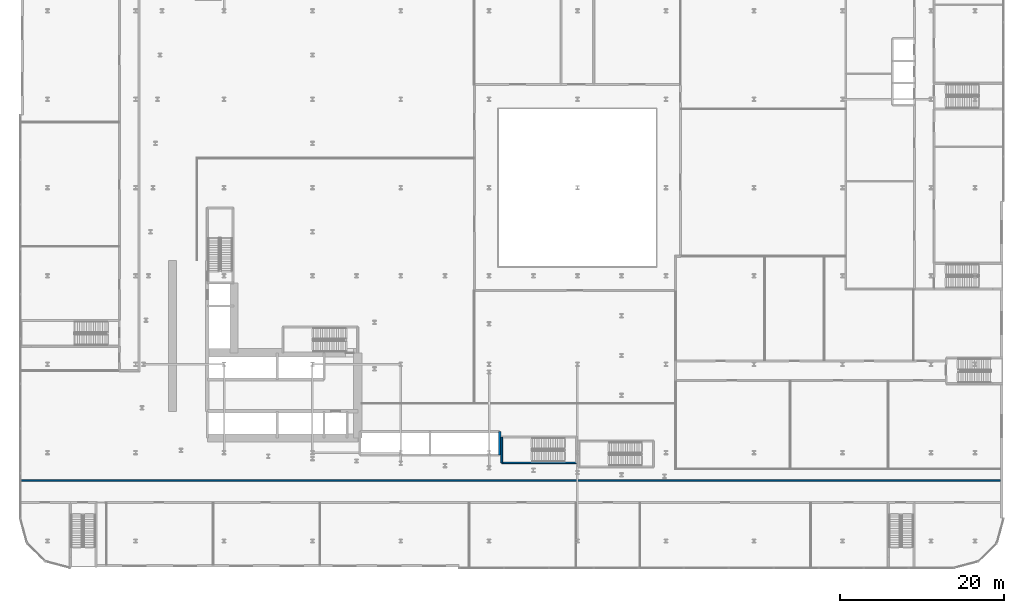
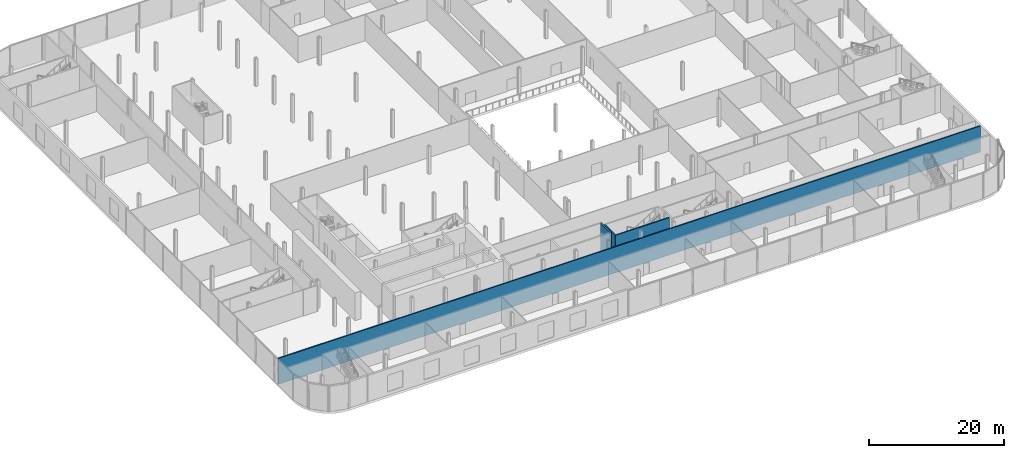
# One storey, part 27 of 47: 4 walls.
"""IFC4 building model written with IfcOpenShell, lengths in metres."""

from ifc_helpers import new_model, si_unit, direction, frame, frame_2d, origin, place, context, subcontext, project, spatial, rectangle, extrude, material, layer, layer_set, type_object, element, save


model = new_model("IFC4")

# Units and contexts
model_context = context("Model", 3, precision=1e-05, world=origin(), true_north=direction((0.0, 1.0)))
body_context = subcontext(model_context, "Body", "Model", "MODEL_VIEW")
ifc_project = project(units=[si_unit("LENGTHUNIT", "METRE"), si_unit("AREAUNIT", "SQUARE_METRE"), si_unit("VOLUMEUNIT", "CUBIC_METRE"), si_unit("PLANEANGLEUNIT", "RADIAN"), si_unit("MASSUNIT", "GRAM", prefix="KILO")], contexts=[model_context])

# Site, building, storey
site_placement = place(None, origin())
site = spatial("IfcSite", under=ifc_project, at=site_placement, CompositionType="ELEMENT")
building_placement = place(site_placement, origin())
building = spatial("IfcBuilding", under=site, at=building_placement, Name="Kheshtan School and Residences Tower", CompositionType="ELEMENT")
storey_placement = place(building_placement, frame((0.0, 0.0, 7.5)))
storey = spatial("IfcBuildingStorey", under=building, at=storey_placement, Name="L01", CompositionType="ELEMENT", Elevation=7.5)

# Walls
ifc_material_1 = material(Name="Gypsum board on steel studs with fire boards", Category="steel")
ifc_layer_1 = layer(ifc_material_1, 0.199951171875)
ifc_layer_set_1 = layer_set([ifc_layer_1], Name="Corridor wall 200")
wall_type_1 = type_object("IfcWallType", Name="Corridor wall 200", PredefinedType="PARTITIONING", material=ifc_layer_set_1)
wall_1_placement = place(storey_placement, frame((12.0, 20.60009765625, 0.0), z_axis=(0.0, 0.0, 1.0), x_axis=(1.0, 0.0, 0.0)))
element("IfcWall", 1, at=wall_1_placement, inside=storey, type_object=wall_type_1, Name="Partition L01-002", PredefinedType="PARTITIONING", context=body_context, shape_type="SweptSolid", body=[
    extrude(rectangle(XDim=119.700927734375, YDim=0.199951171875, at=frame_2d((59.8505859375, 0.0))), origin(), (0.0, 0.0, 1.0), 4.679931640625),
])
ifc_material_2 = material(Name="Fire-board shaft wall system")
ifc_layer_2 = layer(ifc_material_2, 0.25)
ifc_layer_set_2 = layer_set([ifc_layer_2], Name="Shaft lining wall 250")
wall_type_2 = type_object("IfcWallType", Name="Shaft lining wall 250", PredefinedType="PARTITIONING", material=ifc_layer_set_2)
wall_2_placement = place(storey_placement, frame((70.5, 23.699951171875, 0.0), z_axis=(0.0, 0.0, 1.0), x_axis=(0.0, 1.0, 0.0)))
element("IfcWall", 2, at=wall_2_placement, inside=storey, type_object=wall_type_2, Name="Shaft lining wall", PredefinedType="PARTITIONING", context=body_context, shape_type="SweptSolid", body=[
    extrude(rectangle(XDim=2.85009765625, YDim=0.25, at=frame_2d((1.425048828125, 0.0))), origin(), (0.0, 0.0, 1.0), 5.0),
])
ifc_material_3 = material(Name="Concrete C40/50", Category="concrete")
ifc_layer_3 = layer(ifc_material_3, 0.199951171875)
ifc_layer_set_3 = layer_set([ifc_layer_3], Name="Stair enclosure wall 200 Concrete C40/50")
wall_type_3 = type_object("IfcWallType", Name="Stair enclosure wall 200 Concrete C40/50", PredefinedType="SHEAR", material=ifc_layer_set_3)
wall_3_placement = place(storey_placement, frame((70.75, 22.75, 0.0), z_axis=(0.0, 0.0, 1.0), x_axis=(1.0, 0.0, 0.0)))
element("IfcWall", 3, at=wall_3_placement, inside=storey, type_object=wall_type_3, Name="Stair enclosure wall ST5", PredefinedType="SHEAR", context=body_context, shape_type="SweptSolid", body=[
    extrude(rectangle(XDim=9.159912109375, YDim=0.199951171875, at=frame_2d((4.580078125, 0.0))), origin(), (0.0, 0.0, 1.0), 5.0),
])
wall_4_placement = place(storey_placement, frame((70.75, 22.75, 0.0), z_axis=(0.0, 0.0, 1.0), x_axis=(0.0, 1.0, 0.0)))
element("IfcWall", 4, at=wall_4_placement, inside=storey, type_object=wall_type_3, Name="Stair enclosure wall ST5", PredefinedType="SHEAR", context=body_context, shape_type="SweptSolid", body=[
    extrude(rectangle(XDim=3.14990234375, YDim=0.199951171875, at=frame_2d((1.574951171875, 0.0))), origin(), (0.0, 0.0, 1.0), 5.0),
])

save(model, "model.ifc")
